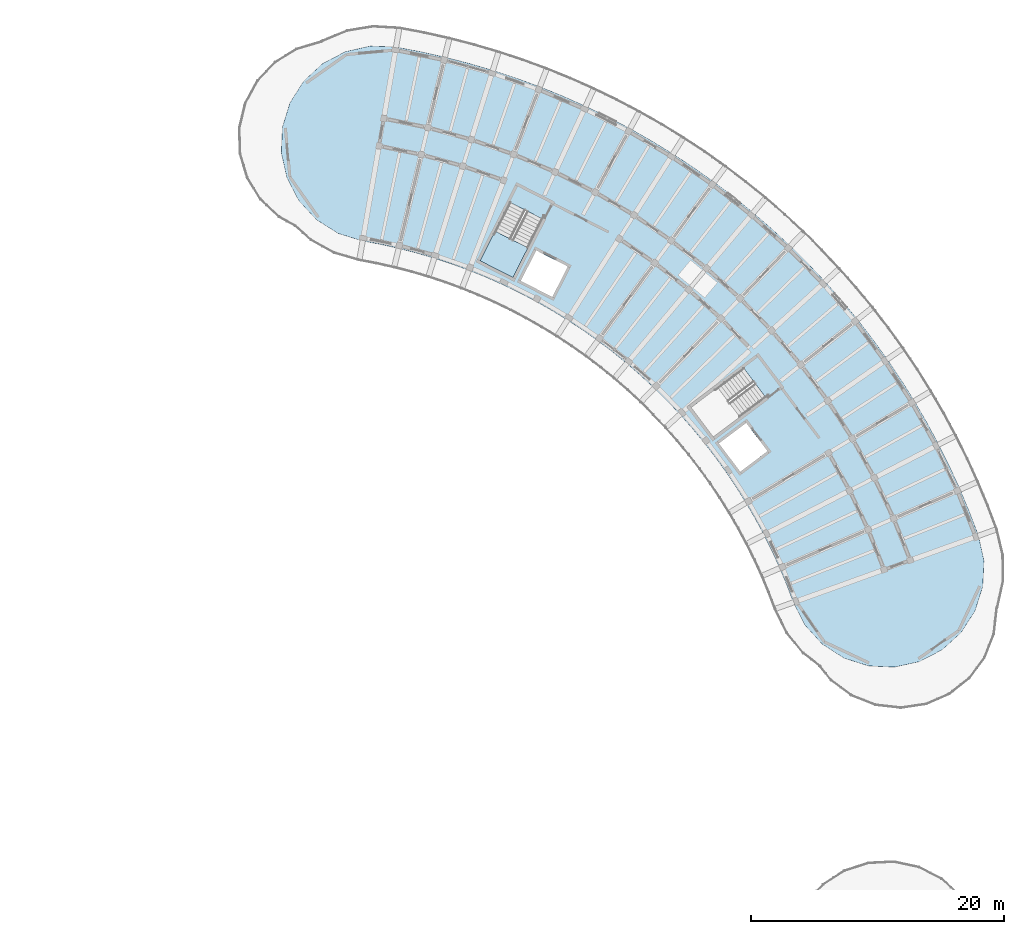
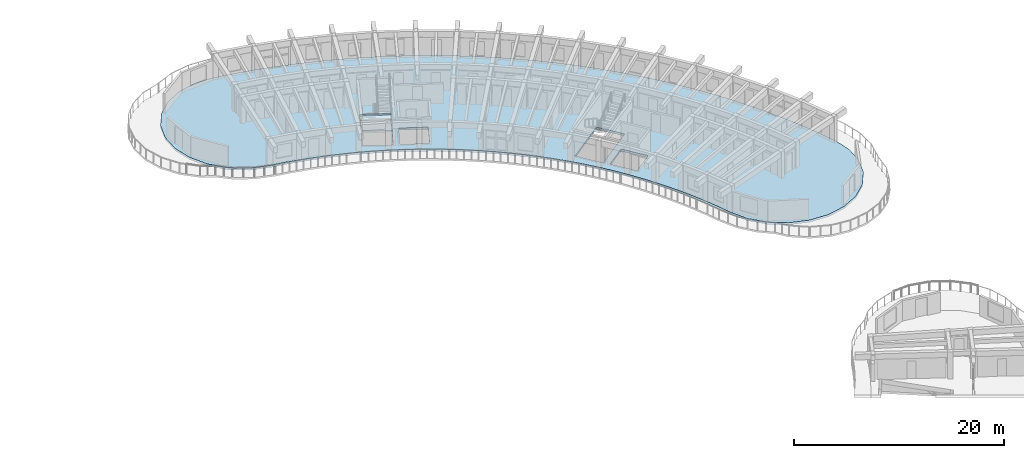
# One storey, part 39 of 83: 2 slabs, 1 element without a shape of its own.
"""IFC4 building model written with IfcOpenShell, lengths in metres."""

import ifcopenshell
import ifcopenshell.guid

model = None  # the IFC model being written
_history = None  # IfcOwnerHistory: only IFC2X3 demands one
_inside = {}  # id of a spatial element -> (the spatial element, [elements in it])
_under = {}  # id of a project, library or spatial element -> (it, [spatial elements below it])
_declared = {}  # id of a project -> (the project, [libraries it declares])
_typed = {}  # id of a type object -> (the type object, [elements of that type])
_made_of = {}  # id of a material, layer set ... -> (it, [elements and type objects made of it])


def new_model(schema):
    """Start an empty IFC model of exactly this schema.

    Asked for "IFC4X3", IfcOpenShell would pick the latest addendum, in which some entities
    have other attributes; the version numbers below select the first issue.
    IFC2X3 requires an IfcOwnerHistory on every rooted entity: one is made here for all.
    """
    global model, _history
    if schema == "IFC4X3":
        model = ifcopenshell.file(schema_version=(4, 3, 0, 0))
    else:
        model = ifcopenshell.file(schema=schema)
    _inside.clear()
    _under.clear()
    _declared.clear()
    _typed.clear()
    _made_of.clear()
    _history = None
    if model.schema == "IFC2X3":
        org = make("IfcOrganization", Name="unknown")
        user = make(
            "IfcPersonAndOrganization",
            ThePerson=make("IfcPerson", FamilyName="unknown"),
            TheOrganization=org,
        )
        app = make(
            "IfcApplication",
            ApplicationDeveloper=org,
            Version="unknown",
            ApplicationFullName="unknown",
            ApplicationIdentifier="unknown",
        )
        _history = make(
            "IfcOwnerHistory",
            OwningUser=user,
            OwningApplication=app,
            ChangeAction="ADDED",
            CreationDate=0,
        )
    return model


def make(cls, **values):
    """One entity of the class cls with the attributes given. An attribute that is None is left unset."""
    return model.create_entity(
        cls, **{name: value for name, value in values.items() if value is not None}
    )


def rooted(cls, **values):
    """An entity with a GlobalId (a new one), such as an element, a storey or a relation."""
    return make(cls, GlobalId=ifcopenshell.guid.new(), OwnerHistory=_history, **values)


def si_unit(unit_type, name, prefix=None):
    """IfcSIUnit, for example si_unit("LENGTHUNIT", "METRE", prefix="MILLI")."""
    return make("IfcSIUnit", UnitType=unit_type, Prefix=prefix, Name=name)


def assignment(units):
    """IfcUnitAssignment: the units of a project."""
    return None if units is None else make("IfcUnitAssignment", Units=units)


def point(xyz):
    """IfcCartesianPoint."""
    return None if xyz is None else make("IfcCartesianPoint", Coordinates=xyz)


def direction(xyz):
    """IfcDirection."""
    return None if xyz is None else make("IfcDirection", DirectionRatios=xyz)


def frame(location, z_axis=None, x_axis=None):
    """IfcAxis2Placement3D, a coordinate frame: its origin and axes. An axis left out is left unset."""
    return make(
        "IfcAxis2Placement3D",
        Location=point(location),
        Axis=direction(z_axis),
        RefDirection=direction(x_axis),
    )


def origin():
    """The frame at (0, 0, 0) with its axes left unset."""
    return frame((0.0, 0.0, 0.0))


def place(relative_to, where):
    """IfcLocalPlacement: puts the frame where relative to a parent placement (None: the world)."""
    return make(
        "IfcLocalPlacement", PlacementRelTo=relative_to, RelativePlacement=where
    )


def context(
    kind, dimensions, precision=None, world=None, true_north=None, identifier=None
):
    """IfcGeometricRepresentationContext, for example the 3D "Model" context."""
    return make(
        "IfcGeometricRepresentationContext",
        ContextIdentifier=identifier,
        ContextType=kind,
        CoordinateSpaceDimension=dimensions,
        Precision=precision,
        WorldCoordinateSystem=world,
        TrueNorth=true_north,
    )


def subcontext(parent, identifier, kind, view, scale=None):
    """IfcGeometricRepresentationSubContext, for example "Body" below "Model"."""
    return make(
        "IfcGeometricRepresentationSubContext",
        ContextIdentifier=identifier,
        ContextType=kind,
        ParentContext=parent,
        TargetScale=scale,
        TargetView=view,
    )


def project(units=None, contexts=None):
    """IfcProject with its units and contexts."""
    return rooted(
        "IfcProject",
        Name="project",
        RepresentationContexts=contexts,
        UnitsInContext=assignment(units),
    )


def spatial(cls, under=None, at=None, **own):
    """A site, building, storey or space (cls), placed at a placement, below another one or the project."""
    s = rooted(cls, ObjectPlacement=at, **own)
    if under is not None:
        _under.setdefault(under.id(), (under, []))[1].append(s)
    return s


def polyline(points):
    """IfcPolyline through the points."""
    return make("IfcPolyline", Points=[point(p) for p in points])


def outline(outer, holes=None, kind="AREA"):
    """IfcArbitraryClosedProfileDef: a profile drawn as a closed curve; with holes, ...WithVoids."""
    if holes is None:
        return make("IfcArbitraryClosedProfileDef", ProfileType=kind, OuterCurve=outer)
    return make(
        "IfcArbitraryProfileDefWithVoids",
        ProfileType=kind,
        OuterCurve=outer,
        InnerCurves=holes,
    )


def extrude(swept, where, along, depth):
    """IfcExtrudedAreaSolid: the profile swept, set in the frame where, extruded along a direction by depth."""
    return make(
        "IfcExtrudedAreaSolid",
        SweptArea=swept,
        Position=where,
        ExtrudedDirection=direction(along),
        Depth=depth,
    )


def shape(context_of_items, identifier, shape_type, items):
    """IfcShapeRepresentation: the items that make up one representation, for example the "Body"."""
    return make(
        "IfcShapeRepresentation",
        ContextOfItems=context_of_items,
        RepresentationIdentifier=identifier,
        RepresentationType=shape_type,
        Items=items,
    )


def material(Name=None, Category=None):
    """IfcMaterial."""
    return make("IfcMaterial", Name=Name, Category=Category)


def layer(
    of_material, thickness, ventilated=None, Name=None, Category=None, Priority=None
):
    """IfcMaterialLayer: one layer of a wall or slab, of a material (None: an air gap)."""
    return make(
        "IfcMaterialLayer",
        Material=of_material,
        LayerThickness=thickness,
        IsVentilated=ventilated,
        Name=Name,
        Category=Category,
        Priority=Priority,
    )


def layer_set(layers, Name=None):
    """IfcMaterialLayerSet."""
    return make("IfcMaterialLayerSet", MaterialLayers=layers, LayerSetName=Name)


def made_of(thing, what):
    """Note that an element or type object is made of a material, layer set ...; save() writes the relation."""
    if what is not None:
        _made_of.setdefault(what.id(), (what, []))[1].append(thing)
    return thing


def type_object(cls, material=None, **own):
    """A type object (cls), such as IfcWallType, which elements share."""
    return made_of(rooted(cls, **own), material)


def element(
    cls,
    number,
    at=None,
    inside=None,
    cuts=None,
    type_object=None,
    material=None,
    context=None,
    identifier="Body",
    shape_type=None,
    held_by="IfcProductDefinitionShape",
    body=None,
    shapes=None,
    **own,
):
    """One element of the class cls, such as IfcWall. Its Tag is "e" and its number.

    at: its placement. inside: the storey or other place that contains it. cuts: it is an
    opening in that element (IfcRelVoidsElement). A single representation is given by context,
    identifier, shape_type and body (its items); several are given by shapes. held_by: the class
    of the entity that holds the representations. save() writes the other relations.
    """
    e = rooted(cls, Tag="e%d" % number, ObjectPlacement=at, **own)
    if body is not None:
        shapes = [shape(context, identifier, shape_type, body)]
    if shapes is not None:
        e.Representation = make(held_by, Representations=shapes)
    if inside is not None:
        _inside.setdefault(inside.id(), (inside, []))[1].append(e)
    if cuts is not None:
        rooted(
            "IfcRelVoidsElement", RelatingBuildingElement=cuts, RelatedOpeningElement=e
        )
    if type_object is not None:
        _typed.setdefault(type_object.id(), (type_object, []))[1].append(e)
    return made_of(e, material)


def aggregate(whole, parts):
    """IfcRelAggregates: a whole, such as a stair, and the parts it consists of."""
    return rooted("IfcRelAggregates", RelatingObject=whole, RelatedObjects=parts)


def save(model, path):
    """Write the relations noted so far, then the file.

    IfcRelAggregates (storeys below a building ...), IfcRelContainedInSpatialStructure (elements
    in a storey), IfcRelDefinesByType, IfcRelAssociatesMaterial and IfcRelDeclares: one each for
    every whole, place, type object, material and project.
    """
    for whole, parts in _under.values():
        aggregate(whole, parts)
    for where, things in _inside.values():
        rooted(
            "IfcRelContainedInSpatialStructure",
            RelatedElements=things,
            RelatingStructure=where,
        )
    for kind, things in _typed.values():
        rooted("IfcRelDefinesByType", RelatedObjects=things, RelatingType=kind)
    for what, things in _made_of.values():
        rooted("IfcRelAssociatesMaterial", RelatedObjects=things, RelatingMaterial=what)
    for by, libraries in _declared.values():
        rooted("IfcRelDeclares", RelatingContext=by, RelatedDefinitions=libraries)
    model.write(path)


model = new_model("IFC4")

# Units and contexts
model_context = context("Model", 3, precision=1e-05, world=origin(), true_north=direction((0.0, 1.0)))
body_context = subcontext(model_context, "Body", "Model", "MODEL_VIEW")
ifc_project = project(units=[si_unit("LENGTHUNIT", "METRE"), si_unit("AREAUNIT", "SQUARE_METRE"), si_unit("VOLUMEUNIT", "CUBIC_METRE"), si_unit("PLANEANGLEUNIT", "RADIAN"), si_unit("MASSUNIT", "GRAM", prefix="KILO")], contexts=[model_context])

# Site, building, storey
site_placement = place(None, origin())
site = spatial("IfcSite", under=ifc_project, at=site_placement, CompositionType="ELEMENT")
building_placement = place(site_placement, origin())
building = spatial("IfcBuilding", under=site, at=building_placement, Name="Tanwirah Colonnade Gardens", CompositionType="ELEMENT")
storey_placement = place(building_placement, frame((0.0, 0.0, 25.639892578125)))
storey = spatial("IfcBuildingStorey", under=building, at=storey_placement, Name="L07", CompositionType="ELEMENT", Elevation=25.639892578125)

# Stair, slab
ifc_material = material(Name="Precast concrete C40/50", Category="concrete")
stair_type = type_object("IfcStairType", Name="ST-RES168", PredefinedType="HALF_TURN_STAIR", material=ifc_material)
stair_placement = place(storey_placement, origin())
stair = element("IfcStair", 1, at=stair_placement, inside=storey, type_object=stair_type, Name="L07 Block B Core 2 Exit Stair", PredefinedType="HALF_TURN_STAIR")
ifc_layer_1 = layer(ifc_material, 0.205078125)
ifc_layer_set_1 = layer_set([ifc_layer_1], Name="Precast concrete C40/50")
slab_type_1 = type_object("IfcSlabType", Name="SL-LND-205", PredefinedType="LANDING", material=ifc_layer_set_1)
slab_1_placement = place(storey_placement, frame((0.0, 0.0, 1.47509765625)))
slab_1 = element("IfcSlab", 2, at=slab_1_placement, type_object=slab_type_1, Name="ST-B2 landing 1", PredefinedType="LANDING", context=body_context, shape_type="SweptSolid", body=[
    extrude(outline(polyline([(138.995361328125, 104.549072265625), (137.799072265625, 102.201171875), (140.40087890625, 100.87548828125), (141.59716796875, 103.223388671875), (138.995361328125, 104.549072265625)])), origin(), (0.0, 0.0, 1.0), 0.205078125),
])
aggregate(stair, [slab_1])

# Slab
ifc_layer_2 = layer(ifc_material, 0.25)
ifc_layer_set_2 = layer_set([ifc_layer_2], Name="Precast concrete C40/50")
slab_type_2 = type_object("IfcSlabType", Name="SL-RES-250", PredefinedType="FLOOR", material=ifc_layer_set_2)
slab_2_placement = place(storey_placement, frame((0.0, 0.0, -0.25)))
element("IfcSlab", 3, at=slab_2_placement, inside=storey, type_object=slab_type_2, Name="Block B L07 Precast Composite Floor Slab", PredefinedType="FLOOR", context=body_context, shape_type="SweptSolid", body=[
    extrude(outline(polyline([(161.516845703125, 77.864013671875), (162.0771484375, 76.518798828125), (162.5927734375, 75.156005859375), (163.52587890625, 73.346435546875), (164.895751953125, 71.83984375), (166.60888671875, 70.739013671875), (168.54833984375, 70.119140625), (170.582275390625, 70.0224609375), (172.572021484375, 70.45556640625), (174.381591796875, 71.388671875), (175.88818359375, 72.758544921875), (176.989013671875, 74.4716796875), (177.60888671875, 76.4111328125), (177.70556640625, 78.445068359375), (177.2724609375, 80.434814453125), (176.574951171875, 82.278564453125), (175.817138671875, 84.098388671875), (174.99951171875, 85.892333984375), (174.123291015625, 87.658203125), (173.189453125, 89.394287109375), (172.19873046875, 91.0986328125), (171.152587890625, 92.76953125), (170.0517578125, 94.40478515625), (168.897705078125, 96.0029296875), (167.69140625, 97.562255859375), (166.4345703125, 99.0810546875), (165.12841796875, 100.5576171875), (163.774169921875, 101.990234375), (162.37353515625, 103.377197265625), (160.927734375, 104.717529296875), (159.438720703125, 106.009521484375), (157.907958984375, 107.25146484375), (156.3369140625, 108.442626953125), (154.7275390625, 109.5810546875), (153.08154296875, 110.666015625), (151.400634765625, 111.696044921875), (149.686767578125, 112.669921875), (147.94189453125, 113.587158203125), (146.16748046875, 114.446044921875), (144.36572265625, 115.24609375), (142.53857421875, 115.986328125), (140.688232421875, 116.666015625), (138.816162109375, 117.284423828125), (136.925048828125, 117.840576171875), (135.016357421875, 118.334228515625), (133.092529296875, 118.7646484375), (131.15576171875, 119.13134765625), (129.12109375, 119.212158203125), (127.134765625, 118.763916015625), (125.332275390625, 117.816650390625), (123.83642578125, 116.43505859375), (122.7490234375, 114.713623046875), (122.144287109375, 112.769287109375), (122.0634765625, 110.734619140625), (122.51171875, 108.74853515625), (123.458984375, 106.946044921875), (124.840576171875, 105.4501953125), (126.56201171875, 104.36279296875), (128.50634765625, 103.758056640625), (129.93798828125, 103.48681640625), (131.35986328125, 103.168701171875), (132.770751953125, 102.803955078125), (134.16845703125, 102.392822265625), (135.552001953125, 101.935791015625), (136.919921875, 101.433349609375), (138.270263671875, 100.88623046875), (139.60205078125, 100.294921875), (140.91357421875, 99.659912109375), (142.203369140625, 98.982177734375), (143.47021484375, 98.26220703125), (144.71240234375, 97.5009765625), (145.92919921875, 96.698974609375), (147.11865234375, 95.857421875), (148.27978515625, 94.977294921875), (149.4111328125, 94.05908203125), (150.51171875, 93.104248046875), (151.580322265625, 92.11376953125), (152.61572265625, 91.08837890625), (153.61669921875, 90.029541015625), (154.58203125, 88.938232421875), (155.510986328125, 87.815673828125), (156.402587890625, 86.6630859375), (157.255615234375, 85.48193359375), (158.0693359375, 84.27294921875), (158.842529296875, 83.0380859375), (159.57470703125, 81.7783203125), (160.26513671875, 80.4951171875), (160.91259765625, 79.18994140625), (161.516845703125, 77.864013671875)]), holes=[polyline([(160.4169921875, 91.38427734375), (156.2666015625, 88.256591796875), (154.512939453125, 90.583740234375), (158.663330078125, 93.71142578125), (160.4169921875, 91.38427734375)]), polyline([(158.402587890625, 85.5048828125), (156.717529296875, 87.7412109375), (158.873779296875, 89.365966796875), (160.558837890625, 87.1298828125), (158.402587890625, 85.5048828125)]), polyline([(137.8017578125, 102.199951171875), (140.1611328125, 106.830322265625), (142.757568359375, 105.507568359375), (140.398193359375, 100.876953125), (137.8017578125, 102.199951171875)]), polyline([(142.255126953125, 103.01708984375), (144.75, 101.745849609375), (143.524169921875, 99.34033203125), (141.029541015625, 100.611328125), (142.255126953125, 103.01708984375)])]), origin(), (0.0, 0.0, 1.0), 0.25),
])

save(model, "model.ifc")
